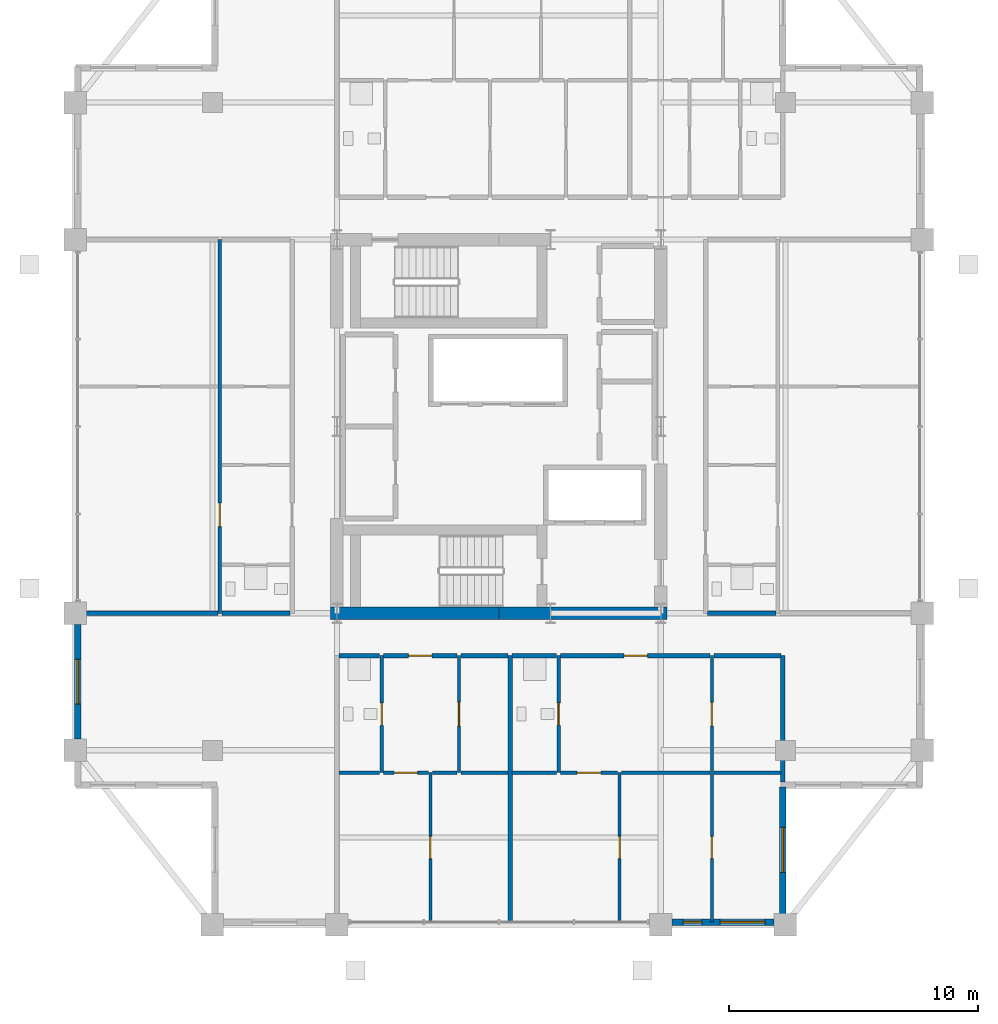
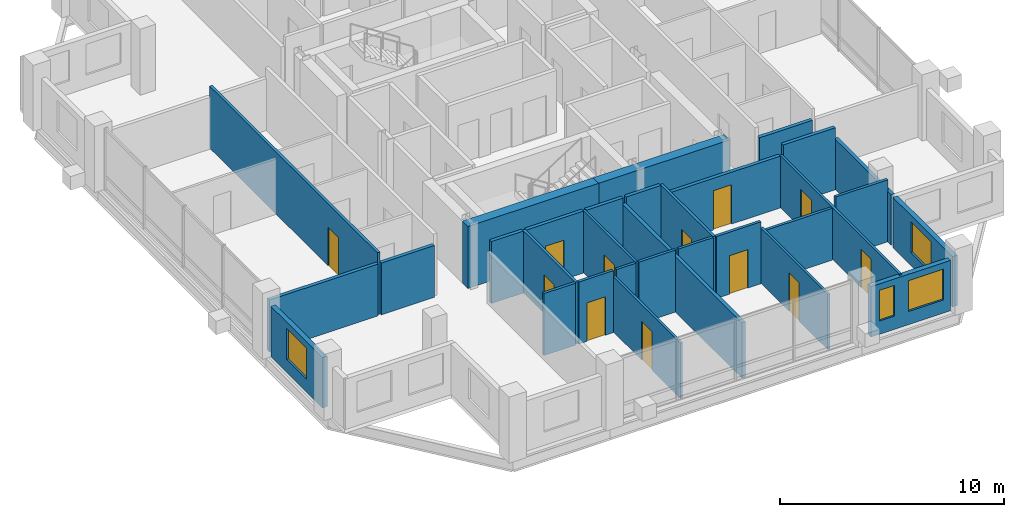
# One storey, part 16 of 22: 31 walls, 12 doors, 4 windows, 16 openings.
"""IFC4 building model written with IfcOpenShell, lengths in metres."""

from ifc_helpers import new_model, si_unit, direction, frame, frame_2d, origin, place, context, subcontext, project, spatial, rectangle, extrude, material, layer, layer_set, type_object, element, fill, save


model = new_model("IFC4")

# Units and contexts
model_context = context("Model", 3, precision=1e-05, world=origin(), true_north=direction((0.0, 1.0)))
body_context = subcontext(model_context, "Body", "Model", "MODEL_VIEW")
ifc_project = project(units=[si_unit("LENGTHUNIT", "METRE"), si_unit("AREAUNIT", "SQUARE_METRE"), si_unit("VOLUMEUNIT", "CUBIC_METRE"), si_unit("PLANEANGLEUNIT", "RADIAN"), si_unit("MASSUNIT", "GRAM", prefix="KILO")], contexts=[model_context])

# Site, building, storey
site_placement = place(None, origin())
site = spatial("IfcSite", under=ifc_project, at=site_placement, CompositionType="ELEMENT")
building_placement = place(site_placement, origin())
building = spatial("IfcBuilding", under=site, at=building_placement, Name="Barlavira Tower and Art Museum", CompositionType="ELEMENT")
storey_placement = place(building_placement, frame((0.0, 0.0, 243.89990234375)))
storey = spatial("IfcBuildingStorey", under=building, at=storey_placement, Name="L63", CompositionType="ELEMENT", Elevation=243.89990234375)

# Wall, opening, door
ifc_material_1 = material(Name="Gypsum acoustic stud partition", Category="gypsum")
ifc_layer_1 = layer(ifc_material_1, 0.1201171875, Name="Gypsum acoustic stud partition")
ifc_layer_set_1 = layer_set([ifc_layer_1], Name="Gypsum acoustic stud partition")
wall_type_1 = type_object("IfcWallType", Name="Apartment Internal Acoustic Partition 120", PredefinedType="PARTITIONING", material=ifc_layer_set_1)
wall_1_placement = place(storey_placement, frame((-2.75, -19.89990234375, 0.0), z_axis=(0.0, 0.0, 1.0), x_axis=(0.0, 1.0, 0.0)))
wall_1 = element("IfcWall", 1, at=wall_1_placement, inside=storey, type_object=wall_type_1, Name="L63 Partition Wall 9", PredefinedType="PARTITIONING", context=body_context, shape_type="SweptSolid", body=[
    extrude(rectangle(XDim=6.0, YDim=0.1201171875, at=frame_2d((3.0, 0.0))), origin(), (0.0, 0.0, 1.0), 3.01806640625),
])
opening_1_placement = place(wall_1_placement, frame((2.550048828125, 0.0, 0.0)))
opening_1 = element("IfcOpeningElement", 2, at=opening_1_placement, cuts=wall_1, Name="Opening D-01", PredefinedType="OPENING", context=body_context, shape_type="SweptSolid", body=[
    extrude(rectangle(XDim=0.89990234375, YDim=2.10009765625, at=frame_2d((0.449951171875, 1.050048828125))), frame((0.0, 0.070068359375, 0.0), z_axis=(0.0, -1.0, 0.0), x_axis=(1.0, 0.0, 0.0)), (0.0, 0.0, 1.0), 0.14013671875),
])
ifc_material_2 = material(Name="Engineered coastal hardwood", Category="wood")
door_type_1 = type_object("IfcDoorType", Name="Internal Bedroom Timber Flush Door 900x2100", OperationType="NOTDEFINED", PredefinedType="DOOR", material=ifc_material_2)
door_1_placement = place(opening_1_placement, origin())
door_1 = element("IfcDoor", 3, at=door_1_placement, inside=storey, type_object=door_type_1, Name="Apartment S1 Bedroom 1 Door", OperationType="SINGLE_SWING_LEFT", OverallHeight=2.10009765625, OverallWidth=0.89990234375, PredefinedType="DOOR", context=body_context, shape_type="SweptSolid", body=[
    extrude(rectangle(XDim=0.89990234375, YDim=2.10009765625, at=frame_2d((0.449951171875, 1.050048828125))), frame((0.0, 0.02490234375, 0.0), z_axis=(0.0, -1.0, 0.0), x_axis=(1.0, 0.0, 0.0)), (0.0, 0.0, 1.0), 0.050048828125),
])
fill(opening_1, door_1)

wall_2_placement = place(storey_placement, frame((-1.60009765625, -13.89990234375, 0.0), z_axis=(0.0, 0.0, 1.0), x_axis=(0.0, 1.0, 0.0)))
wall_2 = element("IfcWall", 4, at=wall_2_placement, inside=storey, type_object=wall_type_1, Name="L63 Partition Wall 11", PredefinedType="PARTITIONING", context=body_context, shape_type="SweptSolid", body=[
    extrude(rectangle(XDim=4.699951171875, YDim=0.1201171875, at=frame_2d((2.35009765625, 0.0))), origin(), (0.0, 0.0, 1.0), 3.380126953125),
])
opening_2_placement = place(wall_2_placement, frame((1.875, 0.0, 0.0)))
opening_2 = element("IfcOpeningElement", 5, at=opening_2_placement, cuts=wall_2, Name="Opening D-02", PredefinedType="OPENING", context=body_context, shape_type="SweptSolid", body=[
    extrude(rectangle(XDim=0.949951171875, YDim=2.10009765625, at=frame_2d((0.47509765625, 1.050048828125))), frame((0.0, 0.070068359375, 0.0), z_axis=(0.0, -1.0, 0.0), x_axis=(1.0, 0.0, 0.0)), (0.0, 0.0, 1.0), 0.14013671875),
])
door_type_2 = type_object("IfcDoorType", Name="Living and Salon Glazed-Leaf Door 950x2100", OperationType="NOTDEFINED", PredefinedType="DOOR", material=ifc_material_2)
door_2_placement = place(opening_2_placement, origin())
door_2 = element("IfcDoor", 6, at=door_2_placement, inside=storey, type_object=door_type_2, Name="Apartment S1 Kitchen Door", OperationType="SINGLE_SWING_LEFT", OverallHeight=2.10009765625, OverallWidth=0.949951171875, PredefinedType="DOOR", context=body_context, shape_type="SweptSolid", body=[
    extrude(rectangle(XDim=0.949951171875, YDim=2.10009765625, at=frame_2d((0.47509765625, 1.050048828125))), frame((0.0, 0.02490234375, 0.0), z_axis=(0.0, -1.0, 0.0), x_axis=(1.0, 0.0, 0.0)), (0.0, 0.0, 1.0), 0.050048828125),
])
fill(opening_2, door_2)

wall_3_placement = place(storey_placement, frame((4.85009765625, -19.89990234375, 0.0), z_axis=(0.0, 0.0, 1.0), x_axis=(0.0, 1.0, 0.0)))
wall_3 = element("IfcWall", 7, at=wall_3_placement, inside=storey, type_object=wall_type_1, Name="L63 Partition Wall 19", PredefinedType="PARTITIONING", context=body_context, shape_type="SweptSolid", body=[
    extrude(rectangle(XDim=6.0, YDim=0.1201171875, at=frame_2d((3.0, 0.0))), origin(), (0.0, 0.0, 1.0), 3.01806640625),
])
opening_3_placement = place(wall_3_placement, frame((2.550048828125, 0.0, 0.0)))
opening_3 = element("IfcOpeningElement", 8, at=opening_3_placement, cuts=wall_3, Name="Opening D-01", PredefinedType="OPENING", context=body_context, shape_type="SweptSolid", body=[
    extrude(rectangle(XDim=0.89990234375, YDim=2.10009765625, at=frame_2d((0.449951171875, 1.050048828125))), frame((0.0, 0.070068359375, 0.0), z_axis=(0.0, -1.0, 0.0), x_axis=(1.0, 0.0, 0.0)), (0.0, 0.0, 1.0), 0.14013671875),
])
door_3_placement = place(opening_3_placement, origin())
door_3 = element("IfcDoor", 9, at=door_3_placement, inside=storey, type_object=door_type_1, Name="Apartment S2 Bedroom 1 Door", OperationType="SINGLE_SWING_RIGHT", OverallHeight=2.10009765625, OverallWidth=0.89990234375, PredefinedType="DOOR", context=body_context, shape_type="SweptSolid", body=[
    extrude(rectangle(XDim=0.89990234375, YDim=2.10009765625, at=frame_2d((0.449951171875, 1.050048828125))), frame((0.0, 0.02490234375, 0.0), z_axis=(0.0, -1.0, 0.0), x_axis=(1.0, 0.0, 0.0)), (0.0, 0.0, 1.0), 0.050048828125),
])
fill(opening_3, door_3)

# Wall, openings, doors
wall_4_placement = place(storey_placement, frame((8.550048828125, -19.89990234375, 0.0), z_axis=(0.0, 0.0, 1.0), x_axis=(0.0, 1.0, 0.0)))
wall_4 = element("IfcWall", 10, at=wall_4_placement, inside=storey, type_object=wall_type_1, Name="L63 Partition Wall 24", PredefinedType="PARTITIONING", context=body_context, shape_type="SweptSolid", body=[
    extrude(rectangle(XDim=10.699951171875, YDim=0.1201171875, at=frame_2d((5.35009765625, 0.0))), origin(), (0.0, 0.0, 1.0), 2.826171875),
])
opening_4_placement = place(wall_4_placement, frame((7.875, 0.0, 0.0)))
opening_4 = element("IfcOpeningElement", 11, at=opening_4_placement, cuts=wall_4, Name="Opening D-02", PredefinedType="OPENING", context=body_context, shape_type="SweptSolid", body=[
    extrude(rectangle(XDim=0.949951171875, YDim=2.10009765625, at=frame_2d((0.47509765625, 1.050048828125))), frame((0.0, 0.070068359375, 0.0), z_axis=(0.0, -1.0, 0.0), x_axis=(1.0, 0.0, 0.0)), (0.0, 0.0, 1.0), 0.14013671875),
])
opening_5_placement = place(wall_4_placement, frame((2.550048828125, 0.0, 0.0)))
opening_5 = element("IfcOpeningElement", 12, at=opening_5_placement, cuts=wall_4, Name="Opening D-01", PredefinedType="OPENING", context=body_context, shape_type="SweptSolid", body=[
    extrude(rectangle(XDim=0.89990234375, YDim=2.10009765625, at=frame_2d((0.449951171875, 1.050048828125))), frame((0.0, 0.070068359375, 0.0), z_axis=(0.0, -1.0, 0.0), x_axis=(1.0, 0.0, 0.0)), (0.0, 0.0, 1.0), 0.14013671875),
])
door_4_placement = place(opening_5_placement, origin())
door_4 = element("IfcDoor", 13, at=door_4_placement, inside=storey, type_object=door_type_1, Name="Apartment S2 Bedroom 2 Door", OperationType="SINGLE_SWING_LEFT", OverallHeight=2.10009765625, OverallWidth=0.89990234375, PredefinedType="DOOR", context=body_context, shape_type="SweptSolid", body=[
    extrude(rectangle(XDim=0.89990234375, YDim=2.10009765625, at=frame_2d((0.449951171875, 1.050048828125))), frame((0.0, 0.02490234375, 0.0), z_axis=(0.0, -1.0, 0.0), x_axis=(1.0, 0.0, 0.0)), (0.0, 0.0, 1.0), 0.050048828125),
])
fill(opening_5, door_4)
door_5_placement = place(opening_4_placement, origin())
door_5 = element("IfcDoor", 14, at=door_5_placement, inside=storey, type_object=door_type_2, Name="Apartment S2 Kitchen Door", OperationType="SINGLE_SWING_RIGHT", OverallHeight=2.10009765625, OverallWidth=0.949951171875, PredefinedType="DOOR", context=body_context, shape_type="SweptSolid", body=[
    extrude(rectangle(XDim=0.949951171875, YDim=2.10009765625, at=frame_2d((0.47509765625, 1.050048828125))), frame((0.0, 0.02490234375, 0.0), z_axis=(0.0, -1.0, 0.0), x_axis=(1.0, 0.0, 0.0)), (0.0, 0.0, 1.0), 0.050048828125),
])
fill(opening_4, door_5)

# Walls
ifc_material_3 = material(Name="Concrete C60", Category="concrete")
ifc_layer_2 = layer(ifc_material_3, 0.5, Name="Concrete C60")
ifc_layer_set_2 = layer_set([ifc_layer_2], Name="Concrete C60")
wall_type_2 = type_object("IfcWallType", Name="Core Structural Shear Wall 500 Concrete C60", PredefinedType="SHEAR", material=ifc_layer_set_2)
for number, where, z_axis, x_axis, name in (
    (15, (-6.75, -7.5, 0.0), (0.0, 0.0, 1.0), (1.0, 0.0, 0.0), "L63 Core Shear Wall CS-SW"),
    (16, (0.0, -7.5, 0.0), (0.0, 0.0, 1.0), (1.0, 0.0, 0.0), "L63 Core Shear Wall CS-SE"),
):
    element("IfcWall", number, at=place(storey_placement, frame(where, z_axis=z_axis, x_axis=x_axis)), inside=storey, type_object=wall_type_2, Name=name, PredefinedType="SHEAR", context=body_context, shape_type="SweptSolid", body=[
        extrude(rectangle(XDim=6.75, YDim=0.5, at=frame_2d((3.375, 0.0))), origin(), (0.0, 0.0, 1.0), 3.380126953125),
    ])
ifc_layer_3 = layer(ifc_material_1, 0.179931640625, Name="Gypsum acoustic stud partition")
ifc_layer_set_3 = layer_set([ifc_layer_3], Name="Gypsum acoustic stud partition")
wall_type_3 = type_object("IfcWallType", Name="Inter-Tenancy Party Partition Wall 180", PredefinedType="PARTITIONING", material=ifc_layer_set_3)
wall_5_placement = place(storey_placement, frame((0.449951171875, -19.89990234375, 0.0), z_axis=(0.0, 0.0, 1.0), x_axis=(0.0, 1.0, 0.0)))
element("IfcWall", 17, at=wall_5_placement, inside=storey, type_object=wall_type_3, Name="L63 Partition Wall 13", PredefinedType="PARTITIONING", context=body_context, shape_type="SweptSolid", body=[
    extrude(rectangle(XDim=10.699951171875, YDim=0.179931640625, at=frame_2d((5.35009765625, 0.0))), origin(), (0.0, 0.0, 1.0), 3.01806640625),
])
wall_6_placement = place(storey_placement, frame((11.39990234375, -14.27001953125, 0.0), z_axis=(0.0, 0.0, 1.0), x_axis=(0.0, 1.0, 0.0)))
element("IfcWall", 18, at=wall_6_placement, inside=storey, type_object=wall_type_3, Name="L63 Partition Wall 28", PredefinedType="PARTITIONING", context=body_context, shape_type="SweptSolid", body=[
    extrude(rectangle(XDim=5.070068359375, YDim=0.179931640625, at=frame_2d((2.53515625, 0.0))), origin(), (0.0, 0.0, 1.0), 2.748046875),
])
wall_7_placement = place(storey_placement, frame((-6.419921875, -9.199951171875, 0.0), z_axis=(0.0, 0.0, 1.0), x_axis=(1.0, 0.0, 0.0)))
element("IfcWall", 19, at=wall_7_placement, inside=storey, type_object=wall_type_3, Name="L63 Partition Wall 38", PredefinedType="PARTITIONING", context=body_context, shape_type="SweptSolid", body=[
    extrude(rectangle(XDim=1.639892578125, YDim=0.179931640625, at=frame_2d((0.81982421875, 0.0))), origin(), (0.0, 0.0, 1.0), 3.380126953125),
])

# Wall, opening, door
wall_8_placement = place(storey_placement, frame((-4.6201171875, -9.199951171875, 0.0), z_axis=(0.0, 0.0, 1.0), x_axis=(1.0, 0.0, 0.0)))
wall_8 = element("IfcWall", 20, at=wall_8_placement, inside=storey, type_object=wall_type_3, Name="L63 Partition Wall 39", PredefinedType="PARTITIONING", context=body_context, shape_type="SweptSolid", body=[
    extrude(rectangle(XDim=2.940185546875, YDim=0.179931640625, at=frame_2d((1.47021484375, 0.0))), origin(), (0.0, 0.0, 1.0), 3.380126953125),
])
opening_6_placement = place(wall_8_placement, frame((0.9951171875, 0.0, 0.0)))
opening_6 = element("IfcOpeningElement", 21, at=opening_6_placement, cuts=wall_8, Name="Opening FD-60", PredefinedType="OPENING", context=body_context, shape_type="SweptSolid", body=[
    extrude(rectangle(XDim=0.949951171875, YDim=2.14990234375, at=frame_2d((0.47509765625, 1.074951171875))), frame((0.0, 0.10009765625, 0.0), z_axis=(0.0, -1.0, 0.0), x_axis=(1.0, 0.0, 0.0)), (0.0, 0.0, 1.0), 0.199951171875),
])
ifc_material_4 = material(Name="Brushed stainless steel", Category="steel")
door_type_3 = type_object("IfcDoorType", Name="Apartment Entrance and Riser Fire Door 950x2150 FD60S", OperationType="NOTDEFINED", PredefinedType="DOOR", material=ifc_material_4)
door_6_placement = place(opening_6_placement, origin())
door_6 = element("IfcDoor", 22, at=door_6_placement, inside=storey, type_object=door_type_3, Name="Apartment Entrance Hall S1 Door", OperationType="SINGLE_SWING_RIGHT", OverallHeight=2.14990234375, OverallWidth=0.949951171875, PredefinedType="DOOR", context=body_context, shape_type="SweptSolid", body=[
    extrude(rectangle(XDim=0.949951171875, YDim=2.14990234375, at=frame_2d((0.47509765625, 1.074951171875))), frame((0.0, 0.02490234375, 0.0), z_axis=(0.0, -1.0, 0.0), x_axis=(1.0, 0.0, 0.0)), (0.0, 0.0, 1.0), 0.050048828125),
])
fill(opening_6, door_6)

# Walls
wall_9_placement = place(storey_placement, frame((-1.52001953125, -9.199951171875, 0.0), z_axis=(0.0, 0.0, 1.0), x_axis=(1.0, 0.0, 0.0)))
element("IfcWall", 23, at=wall_9_placement, inside=storey, type_object=wall_type_3, Name="L63 Partition Wall 40", PredefinedType="PARTITIONING", context=body_context, shape_type="SweptSolid", body=[
    extrude(rectangle(XDim=1.89013671875, YDim=0.179931640625, at=frame_2d((0.945068359375, 0.0))), origin(), (0.0, 0.0, 1.0), 3.380126953125),
])
wall_10_placement = place(storey_placement, frame((0.530029296875, -9.199951171875, 0.0), z_axis=(0.0, 0.0, 1.0), x_axis=(1.0, 0.0, 0.0)))
element("IfcWall", 24, at=wall_10_placement, inside=storey, type_object=wall_type_3, Name="L63 Partition Wall 41", PredefinedType="PARTITIONING", context=body_context, shape_type="SweptSolid", body=[
    extrude(rectangle(XDim=1.7900390625, YDim=0.179931640625, at=frame_2d((0.89501953125, 0.0))), origin(), (0.0, 0.0, 1.0), 3.380126953125),
])

# Wall, opening, door
wall_11_placement = place(storey_placement, frame((2.47998046875, -9.199951171875, 0.0), z_axis=(0.0, 0.0, 1.0), x_axis=(1.0, 0.0, 0.0)))
wall_11 = element("IfcWall", 25, at=wall_11_placement, inside=storey, type_object=wall_type_3, Name="L63 Partition Wall 42", PredefinedType="PARTITIONING", context=body_context, shape_type="SweptSolid", body=[
    extrude(rectangle(XDim=5.989990234375, YDim=0.179931640625, at=frame_2d((2.9951171875, 0.0))), origin(), (0.0, 0.0, 1.0), 2.826171875),
])
opening_7_placement = place(wall_11_placement, frame((2.534912109375, 0.0, 0.0)))
opening_7 = element("IfcOpeningElement", 26, at=opening_7_placement, cuts=wall_11, Name="Opening FD-60", PredefinedType="OPENING", context=body_context, shape_type="SweptSolid", body=[
    extrude(rectangle(XDim=0.949951171875, YDim=2.14990234375, at=frame_2d((0.47509765625, 1.074951171875))), frame((0.0, 0.10009765625, 0.0), z_axis=(0.0, -1.0, 0.0), x_axis=(1.0, 0.0, 0.0)), (0.0, 0.0, 1.0), 0.199951171875),
])
door_7_placement = place(opening_7_placement, origin())
door_7 = element("IfcDoor", 27, at=door_7_placement, inside=storey, type_object=door_type_3, Name="Apartment Entrance Hall S2 Door", OperationType="SINGLE_SWING_LEFT", OverallHeight=2.14990234375, OverallWidth=0.949951171875, PredefinedType="DOOR", context=body_context, shape_type="SweptSolid", body=[
    extrude(rectangle(XDim=0.949951171875, YDim=2.14990234375, at=frame_2d((0.47509765625, 1.074951171875))), frame((0.0, 0.02490234375, 0.0), z_axis=(0.0, -1.0, 0.0), x_axis=(1.0, 0.0, 0.0)), (0.0, 0.0, 1.0), 0.050048828125),
])
fill(opening_7, door_7)

# Walls
wall_12_placement = place(storey_placement, frame((8.6298828125, -9.199951171875, 0.0), z_axis=(0.0, 0.0, 1.0), x_axis=(1.0, 0.0, 0.0)))
element("IfcWall", 28, at=wall_12_placement, inside=storey, type_object=wall_type_3, Name="L63 Partition Wall 43", PredefinedType="PARTITIONING", context=body_context, shape_type="SweptSolid", body=[
    extrude(rectangle(XDim=2.690185546875, YDim=0.179931640625, at=frame_2d((1.34521484375, 0.0))), origin(), (0.0, 0.0, 1.0), 3.380126953125),
])
wall_13_placement = place(storey_placement, frame((-16.89990234375, -7.5, 0.0), z_axis=(0.0, 0.0, 1.0), x_axis=(1.0, 0.0, 0.0)))
element("IfcWall", 29, at=wall_13_placement, inside=storey, type_object=wall_type_3, Name="L63 Partition Wall 44", PredefinedType="PARTITIONING", context=body_context, shape_type="SweptSolid", body=[
    extrude(rectangle(XDim=5.619873046875, YDim=0.179931640625, at=frame_2d((2.81005859375, 0.0))), origin(), (0.0, 0.0, 1.0), 2.826171875),
])
for number, where, z_axis, x_axis, name in (
    (30, (-11.1201171875, -7.5, 0.0), (0.0, 0.0, 1.0), (1.0, 0.0, 0.0), "L63 Partition Wall 45"),
    (31, (8.3798828125, -7.5, 0.0), (0.0, 0.0, 1.0), (1.0, 0.0, 0.0), "L63 Partition Wall 46"),
):
    element("IfcWall", number, at=place(storey_placement, frame(where, z_axis=z_axis, x_axis=x_axis)), inside=storey, type_object=wall_type_3, Name=name, PredefinedType="PARTITIONING", context=body_context, shape_type="SweptSolid", body=[
        extrude(rectangle(XDim=2.740234375, YDim=0.179931640625, at=frame_2d((1.3701171875, 0.0))), origin(), (0.0, 0.0, 1.0), 2.826171875),
    ])

# Wall, opening, door
ifc_layer_4 = layer(ifc_material_1, 0.139892578125, Name="Gypsum acoustic stud partition")
ifc_layer_set_4 = layer_set([ifc_layer_4], Name="Gypsum acoustic stud partition")
wall_type_4 = type_object("IfcWallType", Name="Moisture-Resistant Bathroom Partition 140", PredefinedType="PARTITIONING", material=ifc_layer_set_4)
wall_14_placement = place(storey_placement, frame((-11.199951171875, -7.5, 0.0), z_axis=(0.0, 0.0, 1.0), x_axis=(0.0, 1.0, 0.0)))
wall_14 = element("IfcWall", 32, at=wall_14_placement, inside=storey, type_object=wall_type_4, Name="L63 Partition Wall 1", PredefinedType="PARTITIONING", context=body_context, shape_type="SweptSolid", body=[
    extrude(rectangle(XDim=15.0, YDim=0.139892578125, at=frame_2d((7.5, 0.0))), origin(), (0.0, 0.0, 1.0), 3.380126953125),
])
opening_8_placement = place(wall_14_placement, frame((3.47509765625, 0.0, 0.0)))
opening_8 = element("IfcOpeningElement", 33, at=opening_8_placement, cuts=wall_14, Name="Opening D-02", PredefinedType="OPENING", context=body_context, shape_type="SweptSolid", body=[
    extrude(rectangle(XDim=0.949951171875, YDim=2.10009765625, at=frame_2d((0.47509765625, 1.050048828125))), frame((0.0, 0.080078125, 0.0), z_axis=(0.0, -1.0, 0.0), x_axis=(1.0, 0.0, 0.0)), (0.0, 0.0, 1.0), 0.159912109375),
])
door_8_placement = place(opening_8_placement, origin())
door_8 = element("IfcDoor", 34, at=door_8_placement, inside=storey, type_object=door_type_2, Name="Apartment W1 Living Lounge Door", OperationType="SINGLE_SWING_RIGHT", OverallHeight=2.10009765625, OverallWidth=0.949951171875, PredefinedType="DOOR", context=body_context, shape_type="SweptSolid", body=[
    extrude(rectangle(XDim=0.949951171875, YDim=2.10009765625, at=frame_2d((0.47509765625, 1.050048828125))), frame((0.0, 0.02490234375, 0.0), z_axis=(0.0, -1.0, 0.0), x_axis=(1.0, 0.0, 0.0)), (0.0, 0.0, 1.0), 0.050048828125),
])
fill(opening_8, door_8)

wall_15_placement = place(storey_placement, frame((-4.699951171875, -13.89990234375, 0.0), z_axis=(0.0, 0.0, 1.0), x_axis=(0.0, 1.0, 0.0)))
wall_15 = element("IfcWall", 35, at=wall_15_placement, inside=storey, type_object=wall_type_4, Name="L63 Partition Wall 6", PredefinedType="PARTITIONING", context=body_context, shape_type="SweptSolid", body=[
    extrude(rectangle(XDim=4.699951171875, YDim=0.139892578125, at=frame_2d((2.35009765625, 0.0))), origin(), (0.0, 0.0, 1.0), 3.380126953125),
])
opening_9_placement = place(wall_15_placement, frame((1.89990234375, 0.0, 0.0)))
opening_9 = element("IfcOpeningElement", 36, at=opening_9_placement, cuts=wall_15, Name="Opening D-WC", PredefinedType="OPENING", context=body_context, shape_type="SweptSolid", body=[
    extrude(rectangle(XDim=0.89990234375, YDim=2.10009765625, at=frame_2d((0.449951171875, 1.050048828125))), frame((0.0, 0.080078125, 0.0), z_axis=(0.0, -1.0, 0.0), x_axis=(1.0, 0.0, 0.0)), (0.0, 0.0, 1.0), 0.159912109375),
])
door_type_4 = type_object("IfcDoorType", Name="Accessible Bathroom Flush Door 900x2100", OperationType="NOTDEFINED", PredefinedType="DOOR", material=ifc_material_2)
door_9_placement = place(opening_9_placement, origin())
door_9 = element("IfcDoor", 37, at=door_9_placement, inside=storey, type_object=door_type_4, Name="Apartment S1 Hall Bathroom Door", OperationType="SINGLE_SWING_LEFT", OverallHeight=2.10009765625, OverallWidth=0.89990234375, PredefinedType="DOOR", context=body_context, shape_type="SweptSolid", body=[
    extrude(rectangle(XDim=0.89990234375, YDim=2.10009765625, at=frame_2d((0.449951171875, 1.050048828125))), frame((0.0, 0.02490234375, 0.0), z_axis=(0.0, -1.0, 0.0), x_axis=(1.0, 0.0, 0.0)), (0.0, 0.0, 1.0), 0.050048828125),
])
fill(opening_9, door_9)

wall_16_placement = place(storey_placement, frame((2.39990234375, -13.89990234375, 0.0), z_axis=(0.0, 0.0, 1.0), x_axis=(0.0, 1.0, 0.0)))
wall_16 = element("IfcWall", 38, at=wall_16_placement, inside=storey, type_object=wall_type_4, Name="L63 Partition Wall 15", PredefinedType="PARTITIONING", context=body_context, shape_type="SweptSolid", body=[
    extrude(rectangle(XDim=4.699951171875, YDim=0.139892578125, at=frame_2d((2.35009765625, 0.0))), origin(), (0.0, 0.0, 1.0), 3.380126953125),
])
opening_10_placement = place(wall_16_placement, frame((1.89990234375, 0.0, 0.0)))
opening_10 = element("IfcOpeningElement", 39, at=opening_10_placement, cuts=wall_16, Name="Opening D-WC", PredefinedType="OPENING", context=body_context, shape_type="SweptSolid", body=[
    extrude(rectangle(XDim=0.89990234375, YDim=2.10009765625, at=frame_2d((0.449951171875, 1.050048828125))), frame((0.0, 0.080078125, 0.0), z_axis=(0.0, -1.0, 0.0), x_axis=(1.0, 0.0, 0.0)), (0.0, 0.0, 1.0), 0.159912109375),
])
door_10_placement = place(opening_10_placement, origin())
door_10 = element("IfcDoor", 40, at=door_10_placement, inside=storey, type_object=door_type_4, Name="Apartment S2 Hall Bathroom Door", OperationType="SINGLE_SWING_RIGHT", OverallHeight=2.10009765625, OverallWidth=0.89990234375, PredefinedType="DOOR", context=body_context, shape_type="SweptSolid", body=[
    extrude(rectangle(XDim=0.89990234375, YDim=2.10009765625, at=frame_2d((0.449951171875, 1.050048828125))), frame((0.0, 0.02490234375, 0.0), z_axis=(0.0, -1.0, 0.0), x_axis=(1.0, 0.0, 0.0)), (0.0, 0.0, 1.0), 0.050048828125),
])
fill(opening_10, door_10)

# Wall
wall_17_placement = place(storey_placement, frame((-6.419921875, -13.89990234375, 0.0), z_axis=(0.0, 0.0, 1.0), x_axis=(1.0, 0.0, 0.0)))
element("IfcWall", 41, at=wall_17_placement, inside=storey, type_object=wall_type_4, Name="L63 Partition Wall 30", PredefinedType="PARTITIONING", context=body_context, shape_type="SweptSolid", body=[
    extrude(rectangle(XDim=1.639892578125, YDim=0.139892578125, at=frame_2d((0.81982421875, 0.0))), origin(), (0.0, 0.0, 1.0), 3.380126953125),
])

# Wall, opening, door
wall_18_placement = place(storey_placement, frame((-4.6201171875, -13.89990234375, 0.0), z_axis=(0.0, 0.0, 1.0), x_axis=(1.0, 0.0, 0.0)))
wall_18 = element("IfcWall", 42, at=wall_18_placement, inside=storey, type_object=wall_type_4, Name="L63 Partition Wall 31", PredefinedType="PARTITIONING", context=body_context, shape_type="SweptSolid", body=[
    extrude(rectangle(XDim=1.7900390625, YDim=0.139892578125, at=frame_2d((0.89501953125, 0.0))), origin(), (0.0, 0.0, 1.0), 3.380126953125),
])
opening_11_placement = place(wall_18_placement, frame((0.4150390625, 0.0, 0.0)))
opening_11 = element("IfcOpeningElement", 43, at=opening_11_placement, cuts=wall_18, Name="Opening D-02", PredefinedType="OPENING", context=body_context, shape_type="SweptSolid", body=[
    extrude(rectangle(XDim=0.949951171875, YDim=2.10009765625, at=frame_2d((0.47509765625, 1.050048828125))), frame((0.0, 0.080078125, 0.0), z_axis=(0.0, -1.0, 0.0), x_axis=(1.0, 0.0, 0.0)), (0.0, 0.0, 1.0), 0.159912109375),
])
door_11_placement = place(opening_11_placement, origin())
door_11 = element("IfcDoor", 44, at=door_11_placement, inside=storey, type_object=door_type_2, Name="Apartment S1 Living Lounge Door", OperationType="SINGLE_SWING_RIGHT", OverallHeight=2.10009765625, OverallWidth=0.949951171875, PredefinedType="DOOR", context=body_context, shape_type="SweptSolid", body=[
    extrude(rectangle(XDim=0.949951171875, YDim=2.10009765625, at=frame_2d((0.47509765625, 1.050048828125))), frame((0.0, 0.02490234375, 0.0), z_axis=(0.0, -1.0, 0.0), x_axis=(1.0, 0.0, 0.0)), (0.0, 0.0, 1.0), 0.050048828125),
])
fill(opening_11, door_11)

# Walls
wall_19_placement = place(storey_placement, frame((-2.669921875, -13.89990234375, 0.0), z_axis=(0.0, 0.0, 1.0), x_axis=(1.0, 0.0, 0.0)))
element("IfcWall", 45, at=wall_19_placement, inside=storey, type_object=wall_type_4, Name="L63 Partition Wall 32", PredefinedType="PARTITIONING", context=body_context, shape_type="SweptSolid", body=[
    extrude(rectangle(XDim=0.989990234375, YDim=0.139892578125, at=frame_2d((0.4951171875, 0.0))), origin(), (0.0, 0.0, 1.0), 3.380126953125),
])
wall_20_placement = place(storey_placement, frame((-1.52001953125, -13.89990234375, 0.0), z_axis=(0.0, 0.0, 1.0), x_axis=(1.0, 0.0, 0.0)))
element("IfcWall", 46, at=wall_20_placement, inside=storey, type_object=wall_type_4, Name="L63 Partition Wall 33", PredefinedType="PARTITIONING", context=body_context, shape_type="SweptSolid", body=[
    extrude(rectangle(XDim=1.89013671875, YDim=0.139892578125, at=frame_2d((0.945068359375, 0.0))), origin(), (0.0, 0.0, 1.0), 3.380126953125),
])
wall_21_placement = place(storey_placement, frame((0.530029296875, -13.89990234375, 0.0), z_axis=(0.0, 0.0, 1.0), x_axis=(1.0, 0.0, 0.0)))
element("IfcWall", 47, at=wall_21_placement, inside=storey, type_object=wall_type_4, Name="L63 Partition Wall 34", PredefinedType="PARTITIONING", context=body_context, shape_type="SweptSolid", body=[
    extrude(rectangle(XDim=1.7900390625, YDim=0.139892578125, at=frame_2d((0.89501953125, 0.0))), origin(), (0.0, 0.0, 1.0), 3.380126953125),
])

# Wall, opening, door
wall_22_placement = place(storey_placement, frame((2.47998046875, -13.89990234375, 0.0), z_axis=(0.0, 0.0, 1.0), x_axis=(1.0, 0.0, 0.0)))
wall_22 = element("IfcWall", 48, at=wall_22_placement, inside=storey, type_object=wall_type_4, Name="L63 Partition Wall 35", PredefinedType="PARTITIONING", context=body_context, shape_type="SweptSolid", body=[
    extrude(rectangle(XDim=2.2900390625, YDim=0.139892578125, at=frame_2d((1.14501953125, 0.0))), origin(), (0.0, 0.0, 1.0), 3.380126953125),
])
opening_12_placement = place(wall_22_placement, frame((0.6650390625, 0.0, 0.0)))
opening_12 = element("IfcOpeningElement", 49, at=opening_12_placement, cuts=wall_22, Name="Opening D-02", PredefinedType="OPENING", context=body_context, shape_type="SweptSolid", body=[
    extrude(rectangle(XDim=0.949951171875, YDim=2.10009765625, at=frame_2d((0.47509765625, 1.050048828125))), frame((0.0, 0.080078125, 0.0), z_axis=(0.0, -1.0, 0.0), x_axis=(1.0, 0.0, 0.0)), (0.0, 0.0, 1.0), 0.159912109375),
])
door_12_placement = place(opening_12_placement, origin())
door_12 = element("IfcDoor", 50, at=door_12_placement, inside=storey, type_object=door_type_2, Name="Apartment S2 Living Lounge Door", OperationType="SINGLE_SWING_LEFT", OverallHeight=2.10009765625, OverallWidth=0.949951171875, PredefinedType="DOOR", context=body_context, shape_type="SweptSolid", body=[
    extrude(rectangle(XDim=0.949951171875, YDim=2.10009765625, at=frame_2d((0.47509765625, 1.050048828125))), frame((0.0, 0.02490234375, 0.0), z_axis=(0.0, -1.0, 0.0), x_axis=(1.0, 0.0, 0.0)), (0.0, 0.0, 1.0), 0.050048828125),
])
fill(opening_12, door_12)

# Walls
wall_23_placement = place(storey_placement, frame((4.929931640625, -13.89990234375, 0.0), z_axis=(0.0, 0.0, 1.0), x_axis=(1.0, 0.0, 0.0)))
element("IfcWall", 51, at=wall_23_placement, inside=storey, type_object=wall_type_4, Name="L63 Partition Wall 36", PredefinedType="PARTITIONING", context=body_context, shape_type="SweptSolid", body=[
    extrude(rectangle(XDim=3.5400390625, YDim=0.139892578125, at=frame_2d((1.77001953125, 0.0))), origin(), (0.0, 0.0, 1.0), 2.826171875),
])
wall_24_placement = place(storey_placement, frame((8.6298828125, -13.89990234375, 0.0), z_axis=(0.0, 0.0, 1.0), x_axis=(1.0, 0.0, 0.0)))
element("IfcWall", 52, at=wall_24_placement, inside=storey, type_object=wall_type_4, Name="L63 Partition Wall 37", PredefinedType="PARTITIONING", context=body_context, shape_type="SweptSolid", body=[
    extrude(rectangle(XDim=2.690185546875, YDim=0.139892578125, at=frame_2d((1.34521484375, 0.0))), origin(), (0.0, 0.0, 1.0), 3.380126953125),
])

# Wall, openings, windows
ifc_material_5 = material(Name="Precast concrete C40", Category="concrete")
ifc_layer_5 = layer(ifc_material_5, 0.25, Name="Precast concrete C40")
ifc_layer_set_5 = layer_set([ifc_layer_5], Name="Precast concrete C40")
wall_type_5 = type_object("IfcWallType", Name="Notched Corner Spandrel Wall 250 Precast Concrete C40", PredefinedType="SOLIDWALL", material=ifc_layer_set_5)
wall_25_placement = place(storey_placement, frame((6.945068359375, -19.89990234375, 0.0), z_axis=(0.0, 0.0, 1.0), x_axis=(1.0, 0.0, 0.0)))
wall_25 = element("IfcWall", 53, at=wall_25_placement, inside=storey, type_object=wall_type_5, Name="L63 Coastal Facade Pier Wall CW4-L63-S-3", PredefinedType="SOLIDWALL", context=body_context, shape_type="SweptSolid", body=[
    extrude(rectangle(XDim=4.10986328125, YDim=0.25, at=frame_2d((2.054931640625, 0.0))), origin(), (0.0, 0.0, 1.0), 2.748046875),
])
opening_13_placement = place(wall_25_placement, frame((0.449951171875, 0.0, 0.719970703125)))
opening_13 = element("IfcOpeningElement", 54, at=opening_13_placement, cuts=wall_25, Name="Opening WN-06", PredefinedType="OPENING", context=body_context, shape_type="SweptSolid", body=[
    extrude(rectangle(XDim=0.760009765625, YDim=1.679931640625, at=frame_2d((0.3798828125, 0.83984375))), frame((0.0, 0.135009765625, 0.0), z_axis=(0.0, -1.0, 0.0), x_axis=(1.0, 0.0, 0.0)), (0.0, 0.0, 1.0), 0.27001953125),
])
opening_14_placement = place(wall_25_placement, frame((1.93994140625, 0.0, 0.719970703125)))
opening_14 = element("IfcOpeningElement", 55, at=opening_14_placement, cuts=wall_25, Name="Opening WN-01", PredefinedType="OPENING", context=body_context, shape_type="SweptSolid", body=[
    extrude(rectangle(XDim=1.800048828125, YDim=1.679931640625, at=frame_2d((0.89990234375, 0.83984375))), frame((0.0, 0.135009765625, 0.0), z_axis=(0.0, -1.0, 0.0), x_axis=(1.0, 0.0, 0.0)), (0.0, 0.0, 1.0), 0.27001953125),
])
ifc_material_6 = material(Name="Low-iron coastal laminated glass", Category="glass")
window_type_1 = type_object("IfcWindowType", Name="Recessed Narrow Pier Window 760x1680", PartitioningType="SINGLE_PANEL", PredefinedType="WINDOW", material=ifc_material_6)
window_1_placement = place(opening_13_placement, origin())
window_1 = element("IfcWindow", 56, at=window_1_placement, inside=storey, type_object=window_type_1, Name="L63 Punched Facade Window EWP-CW4-L63-S-3-1", OverallHeight=1.679931640625, OverallWidth=0.760009765625, PartitioningType="SINGLE_PANEL", PredefinedType="WINDOW", context=body_context, shape_type="SweptSolid", body=[
    extrude(rectangle(XDim=0.760009765625, YDim=1.679931640625, at=frame_2d((0.3798828125, 0.83984375))), frame((0.0, 0.030029296875, 0.0), z_axis=(0.0, -1.0, 0.0), x_axis=(1.0, 0.0, 0.0)), (0.0, 0.0, 1.0), 0.06005859375),
])
fill(opening_13, window_1)
window_type_2 = type_object("IfcWindowType", Name="Recessed Notch Corner Punch Window 1800x1680", PartitioningType="SINGLE_PANEL", PredefinedType="WINDOW", material=ifc_material_6)
window_2_placement = place(opening_14_placement, origin())
window_2 = element("IfcWindow", 57, at=window_2_placement, inside=storey, type_object=window_type_2, Name="L63 Punched Facade Window EWP-CW4-L63-S-3-2", OverallHeight=1.679931640625, OverallWidth=1.800048828125, PartitioningType="SINGLE_PANEL", PredefinedType="WINDOW", context=body_context, shape_type="SweptSolid", body=[
    extrude(rectangle(XDim=1.800048828125, YDim=1.679931640625, at=frame_2d((0.89990234375, 0.83984375))), frame((0.0, 0.030029296875, 0.0), z_axis=(0.0, -1.0, 0.0), x_axis=(1.0, 0.0, 0.0)), (0.0, 0.0, 1.0), 0.06005859375),
])
fill(opening_14, window_2)

# Wall, opening, window
wall_26_placement = place(storey_placement, frame((-16.89990234375, -7.945068359375, 0.0), z_axis=(0.0, 0.0, 1.0), x_axis=(0.0, -1.0, 0.0)))
wall_26 = element("IfcWall", 58, at=wall_26_placement, inside=storey, type_object=wall_type_5, Name="L63 Coastal Facade Pier Wall CW4-L63-W-4", PredefinedType="SOLIDWALL", context=body_context, shape_type="SweptSolid", body=[
    extrude(rectangle(XDim=4.60986328125, YDim=0.25, at=frame_2d((2.304931640625, 0.0))), origin(), (0.0, 0.0, 1.0), 2.748046875),
])
opening_15_placement = place(wall_26_placement, frame((1.405029296875, 0.0, 0.719970703125)))
opening_15 = element("IfcOpeningElement", 59, at=opening_15_placement, cuts=wall_26, Name="Opening WN-01", PredefinedType="OPENING", context=body_context, shape_type="SweptSolid", body=[
    extrude(rectangle(XDim=1.800048828125, YDim=1.679931640625, at=frame_2d((0.89990234375, 0.83984375))), frame((0.0, 0.135009765625, 0.0), z_axis=(0.0, -1.0, 0.0), x_axis=(1.0, 0.0, 0.0)), (0.0, 0.0, 1.0), 0.27001953125),
])
window_3_placement = place(opening_15_placement, origin())
window_3 = element("IfcWindow", 60, at=window_3_placement, inside=storey, type_object=window_type_2, Name="L63 Punched Facade Window EWP-CW4-L63-W-4-1", OverallHeight=1.679931640625, OverallWidth=1.800048828125, PartitioningType="SINGLE_PANEL", PredefinedType="WINDOW", context=body_context, shape_type="SweptSolid", body=[
    extrude(rectangle(XDim=1.800048828125, YDim=1.679931640625, at=frame_2d((0.89990234375, 0.83984375))), frame((0.0, 0.030029296875, 0.0), z_axis=(0.0, -1.0, 0.0), x_axis=(1.0, 0.0, 0.0)), (0.0, 0.0, 1.0), 0.06005859375),
])
fill(opening_15, window_3)

wall_27_placement = place(storey_placement, frame((11.39990234375, -19.820068359375, 0.0), z_axis=(0.0, 0.0, 1.0), x_axis=(0.0, 1.0, 0.0)))
wall_27 = element("IfcWall", 61, at=wall_27_placement, inside=storey, type_object=wall_type_5, Name="L63 Notch Corner Wall SE1", PredefinedType="SOLIDWALL", context=body_context, shape_type="SweptSolid", body=[
    extrude(rectangle(XDim=5.340087890625, YDim=0.25, at=frame_2d((2.669921875, 0.0))), origin(), (0.0, 0.0, 1.0), 2.748046875),
])
opening_16_placement = place(wall_27_placement, frame((1.925048828125, 0.0, 0.719970703125)))
opening_16 = element("IfcOpeningElement", 62, at=opening_16_placement, cuts=wall_27, Name="Opening WN-01", PredefinedType="OPENING", context=body_context, shape_type="SweptSolid", body=[
    extrude(rectangle(XDim=1.800048828125, YDim=1.679931640625, at=frame_2d((0.89990234375, 0.83984375))), frame((0.0, 0.135009765625, 0.0), z_axis=(0.0, -1.0, 0.0), x_axis=(1.0, 0.0, 0.0)), (0.0, 0.0, 1.0), 0.27001953125),
])
window_4_placement = place(opening_16_placement, origin())
window_4 = element("IfcWindow", 63, at=window_4_placement, inside=storey, type_object=window_type_2, Name="L63 Punched Facade Window EW-NTC-L63-SE1-1", OverallHeight=1.679931640625, OverallWidth=1.800048828125, PartitioningType="SINGLE_PANEL", PredefinedType="WINDOW", context=body_context, shape_type="SweptSolid", body=[
    extrude(rectangle(XDim=1.800048828125, YDim=1.679931640625, at=frame_2d((0.89990234375, 0.83984375))), frame((0.0, 0.030029296875, 0.0), z_axis=(0.0, -1.0, 0.0), x_axis=(1.0, 0.0, 0.0)), (0.0, 0.0, 1.0), 0.06005859375),
])
fill(opening_16, window_4)

save(model, "model.ifc")
